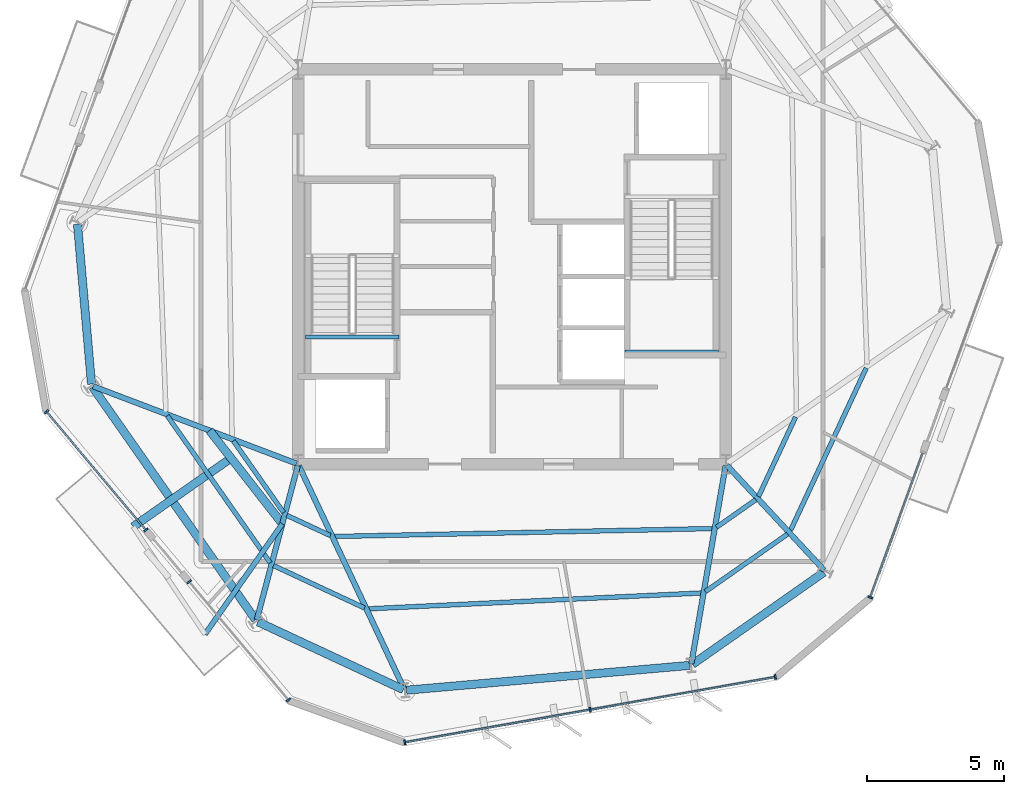
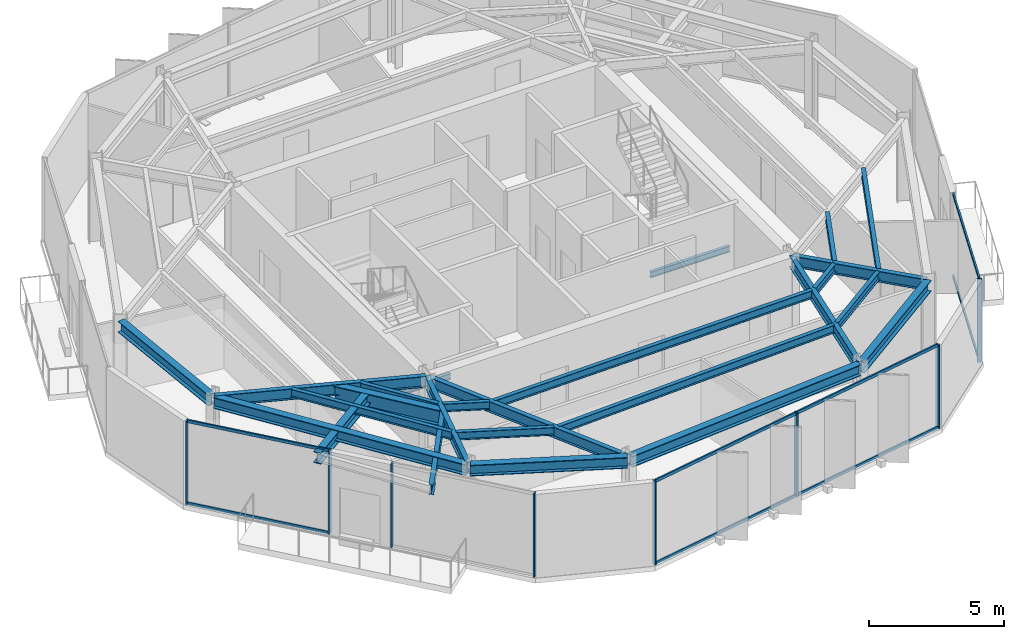
# One storey, part 2 of 11: 25 beams, 16 members, 4 elements without a shape of their own.
"""IFC4 building model written with IfcOpenShell, lengths in metres."""

from ifc_helpers import new_model, si_unit, direction, frame, origin, origin_2d, place, context, subcontext, project, spatial, rectangle, i_section, extrude, material, layer, layer_set, material_profile, profile_set, type_object, element, aggregate, save


model = new_model("IFC4")

# Units and contexts
model_context = context("Model", 3, precision=1e-05, world=origin(), true_north=direction((0.0, 1.0)))
body_context = subcontext(model_context, "Body", "Model", "MODEL_VIEW")
ifc_project = project(units=[si_unit("LENGTHUNIT", "METRE"), si_unit("AREAUNIT", "SQUARE_METRE"), si_unit("VOLUMEUNIT", "CUBIC_METRE"), si_unit("PLANEANGLEUNIT", "RADIAN"), si_unit("MASSUNIT", "GRAM", prefix="KILO")], contexts=[model_context])

# Site, building, storey
site_placement = place(None, origin())
site = spatial("IfcSite", under=ifc_project, at=site_placement, CompositionType="ELEMENT")
building_placement = place(site_placement, origin())
building = spatial("IfcBuilding", under=site, at=building_placement, Name="Kranzbogen Civic Tower", CompositionType="ELEMENT")
storey_placement = place(building_placement, frame((0.0, 0.0, 306.199951171875)))
storey = spatial("IfcBuildingStorey", under=building, at=storey_placement, Name="L74", CompositionType="ELEMENT", Elevation=306.199951171875)

# Beam
ifc_material_1 = material(Name="Steel S355", Category="steel")
ifc_material_profile_1 = material_profile(ifc_material_1, i_section(OverallWidth=0.18994140625, OverallDepth=0.449951171875, WebThickness=0.009521484375, FlangeThickness=0.0146484375, at=origin_2d()), Name="IPE 450")
ifc_profile_set_1 = profile_set([ifc_material_profile_1], Name="Steel S355")
beam_type_1 = type_object("IfcBeamType", Name="Braced Terrace Edge Beam IPE 450", PredefinedType="BEAM", material=ifc_profile_set_1)
beam_1_placement = place(storey_placement, frame((16.6220703125, 15.6240234375, 3.525146484375), z_axis=(-0.573558949877, -0.819164288172, 0.0), x_axis=(0.819164288172, -0.573558949877, 0.0)))
element("IfcBeam", 1, at=beam_1_placement, inside=storey, type_object=beam_type_1, Name="L75 back-spanned terrace beam L75-TB1-2", PredefinedType="BEAM", context=body_context, shape_type="SweptSolid", body=[
    extrude(i_section(OverallWidth=0.18994140625, OverallDepth=0.449951171875, WebThickness=0.009521484375, FlangeThickness=0.0146484375, at=origin_2d()), origin(), (0.0, 0.0, 1.0), 4.91845703125),
])

# Curtain wall, members
ifc_material_2 = material(Name="Pale Anodised Aluminium", Category="aluminium")
ifc_layer = layer(ifc_material_2, 0.219970703125, Name="Pale Anodised Aluminium")
ifc_layer_set = layer_set([ifc_layer], Name="Pale Anodised Aluminium")
curtain_wall_type = type_object("IfcCurtainWallType", Name="Zone 4 Stick Curtain Wall System CW-05", PredefinedType="USERDEFINED", material=ifc_layer_set)
curtain_wall_1_placement = place(storey_placement, origin())
curtain_wall_1 = element("IfcCurtainWall", 2, at=curtain_wall_1_placement, inside=storey, type_object=curtain_wall_type, Name="L74 curtain wall CW-L74-F3-S1", ObjectType="STICK CURTAIN WALL", PredefinedType="USERDEFINED")
ifc_material_profile_2 = material_profile(ifc_material_2, rectangle(XDim=0.06494140625, YDim=0.179931640625, at=origin_2d()), Name="ALU-M 65x180")
ifc_profile_set_2 = profile_set([ifc_material_profile_2], Name="Pale Anodised Aluminium")
member_type_1 = type_object("IfcMemberType", Name="Curtain Wall Mullion ALU-M 65x180", PredefinedType="MULLION", material=ifc_profile_set_2)
member_1_placement = place(storey_placement, frame((8.022216796875, 19.713134765625, 0.0), z_axis=(0.0, 0.0, 1.0), x_axis=(0.642771883733, -0.766057638486, 0.0)))
member_1 = element("IfcMember", 3, at=member_1_placement, type_object=member_type_1, Name="CW-05 mullion 1", PredefinedType="MULLION", context=body_context, shape_type="SweptSolid", body=[
    extrude(rectangle(XDim=0.06494140625, YDim=0.179931640625, at=origin_2d()), origin(), (0.0, 0.0, 1.0), 3.780029296875),
])
member_2_placement = place(storey_placement, frame((11.643798828125, 15.39697265625, 0.0), z_axis=(0.0, 0.0, 1.0), x_axis=(0.642771883733, -0.766057638486, 0.0)))
member_2 = element("IfcMember", 4, at=member_2_placement, type_object=member_type_1, Name="CW-05 mullion 2", PredefinedType="MULLION", context=body_context, shape_type="SweptSolid", body=[
    extrude(rectangle(XDim=0.06494140625, YDim=0.179931640625, at=origin_2d()), origin(), (0.0, 0.0, 1.0), 3.780029296875),
])

curtain_wall_2_placement = place(storey_placement, origin())
curtain_wall_2 = element("IfcCurtainWall", 5, at=curtain_wall_2_placement, inside=storey, type_object=curtain_wall_type, Name="L74 curtain wall CW-L74-F3-S2", ObjectType="STICK CURTAIN WALL", PredefinedType="USERDEFINED")
member_3_placement = place(storey_placement, frame((13.224365234375, 13.512939453125, 0.0), z_axis=(0.0, 0.0, 1.0), x_axis=(0.642755293162, -0.766071558742, 0.0)))
member_3 = element("IfcMember", 6, at=member_3_placement, type_object=member_type_1, Name="CW-05 mullion 1", PredefinedType="MULLION", context=body_context, shape_type="SweptSolid", body=[
    extrude(rectangle(XDim=0.06494140625, YDim=0.179931640625, at=origin_2d()), origin(), (0.0, 0.0, 1.0), 3.780029296875),
])
member_4_placement = place(storey_placement, frame((16.8447265625, 9.197998046875, 0.0), z_axis=(0.0, 0.0, 1.0), x_axis=(0.642755293162, -0.766071558742, 0.0)))
member_4 = element("IfcMember", 7, at=member_4_placement, type_object=member_type_1, Name="CW-05 mullion 2", PredefinedType="MULLION", context=body_context, shape_type="SweptSolid", body=[
    extrude(rectangle(XDim=0.06494140625, YDim=0.179931640625, at=origin_2d()), origin(), (0.0, 0.0, 1.0), 3.780029296875),
])
aggregate(curtain_wall_2, [member_3, member_4])

curtain_wall_3_placement = place(storey_placement, origin())
curtain_wall_3 = element("IfcCurtainWall", 8, at=curtain_wall_3_placement, inside=storey, type_object=curtain_wall_type, Name="L74 curtain wall CW-L74-F4", ObjectType="STICK CURTAIN WALL", PredefinedType="USERDEFINED")
member_5_placement = place(storey_placement, frame((21.089599609375, 7.6533203125, 0.0), z_axis=(0.0, 0.0, 1.0), x_axis=(0.984807646548, 0.173648781452, 0.0)))
member_5 = element("IfcMember", 9, at=member_5_placement, type_object=member_type_1, Name="CW-05 mullion 1", PredefinedType="MULLION", context=body_context, shape_type="SweptSolid", body=[
    extrude(rectangle(XDim=0.06494140625, YDim=0.179931640625, at=origin_2d()), origin(), (0.0, 0.0, 1.0), 3.780029296875),
])
member_6_placement = place(storey_placement, frame((27.848388671875, 8.844970703125, 0.0), z_axis=(0.0, 0.0, 1.0), x_axis=(0.984807646548, 0.173648781452, 0.0)))
member_6 = element("IfcMember", 10, at=member_6_placement, type_object=member_type_1, Name="CW-05 mullion 2", PredefinedType="MULLION", context=body_context, shape_type="SweptSolid", body=[
    extrude(rectangle(XDim=0.06494140625, YDim=0.179931640625, at=origin_2d()), origin(), (0.0, 0.0, 1.0), 3.780029296875),
])
member_7_placement = place(storey_placement, frame((34.607421875, 10.036865234375, 0.0), z_axis=(0.0, 0.0, 1.0), x_axis=(0.984807646548, 0.173648781452, 0.0)))
member_7 = element("IfcMember", 11, at=member_7_placement, type_object=member_type_1, Name="CW-05 mullion 3", PredefinedType="MULLION", context=body_context, shape_type="SweptSolid", body=[
    extrude(rectangle(XDim=0.06494140625, YDim=0.179931640625, at=origin_2d()), origin(), (0.0, 0.0, 1.0), 3.780029296875),
])

# Curtain wall, member
curtain_wall_4_placement = place(storey_placement, origin())
curtain_wall_4 = element("IfcCurtainWall", 12, at=curtain_wall_4_placement, inside=storey, type_object=curtain_wall_type, Name="L74 curtain wall CW-L74-F5-S1", ObjectType="STICK CURTAIN WALL", PredefinedType="USERDEFINED")
member_8_placement = place(storey_placement, frame((38.0673828125, 12.940185546875, 0.0), z_axis=(0.0, 0.0, 1.0), x_axis=(0.342039257273, 0.939685663658, 0.0)))
member_8 = element("IfcMember", 13, at=member_8_placement, type_object=member_type_1, Name="CW-05 mullion 1", PredefinedType="MULLION", context=body_context, shape_type="SweptSolid", body=[
    extrude(rectangle(XDim=0.06494140625, YDim=0.179931640625, at=origin_2d()), origin(), (0.0, 0.0, 1.0), 3.780029296875),
])

# Member
ifc_material_profile_3 = material_profile(ifc_material_2, rectangle(XDim=0.06494140625, YDim=0.135009765625, at=origin_2d()), Name="ALU-T 65x135")
ifc_profile_set_3 = profile_set([ifc_material_profile_3], Name="Pale Anodised Aluminium")
member_type_2 = type_object("IfcMemberType", Name="Curtain Wall Transom ALU-T 65x135", PredefinedType="USERDEFINED", material=ifc_profile_set_3)
member_9_placement = place(storey_placement, frame((8.04150390625, 19.68994140625, 0.030029296875), z_axis=(0.642791399486, -0.766041263084, 0.0), x_axis=(0.766041263084, 0.642791399486, 0.0)))
member_9 = element("IfcMember", 14, at=member_9_placement, type_object=member_type_2, Name="CW-05 transom 1.1", ObjectType="TRANSOM", PredefinedType="USERDEFINED", context=body_context, shape_type="SweptSolid", body=[
    extrude(rectangle(XDim=0.06494140625, YDim=0.135009765625, at=origin_2d()), origin(), (0.0, 0.0, 1.0), 5.57421875),
])

member_10_placement = place(storey_placement, frame((8.04150390625, 19.68994140625, 3.75), z_axis=(0.642791399486, -0.766041263084, 0.0), x_axis=(0.766041263084, 0.642791399486, 0.0)))
member_10 = element("IfcMember", 15, at=member_10_placement, type_object=member_type_2, Name="CW-05 transom 1.2", ObjectType="TRANSOM", PredefinedType="USERDEFINED", context=body_context, shape_type="SweptSolid", body=[
    extrude(rectangle(XDim=0.06494140625, YDim=0.135009765625, at=origin_2d()), origin(), (0.0, 0.0, 1.0), 5.57421875),
])

aggregate(curtain_wall_1, [member_1, member_2, member_9, member_10])

member_11_placement = place(storey_placement, frame((21.119140625, 7.658447265625, 0.030029296875), z_axis=(0.984806310809, 0.173656356607, 0.0), x_axis=(-0.173656356607, 0.984806310809, 0.0)))
member_11 = element("IfcMember", 16, at=member_11_placement, type_object=member_type_2, Name="CW-05 transom 1.1", ObjectType="TRANSOM", PredefinedType="USERDEFINED", context=body_context, shape_type="SweptSolid", body=[
    extrude(rectangle(XDim=0.06494140625, YDim=0.135009765625, at=origin_2d()), origin(), (0.0, 0.0, 1.0), 6.802978515625),
])

member_12_placement = place(storey_placement, frame((21.119140625, 7.658447265625, 3.75), z_axis=(0.984806310809, 0.173656356607, 0.0), x_axis=(-0.173656356607, 0.984806310809, 0.0)))
member_12 = element("IfcMember", 17, at=member_12_placement, type_object=member_type_2, Name="CW-05 transom 1.2", ObjectType="TRANSOM", PredefinedType="USERDEFINED", context=body_context, shape_type="SweptSolid", body=[
    extrude(rectangle(XDim=0.06494140625, YDim=0.135009765625, at=origin_2d()), origin(), (0.0, 0.0, 1.0), 6.802978515625),
])

member_13_placement = place(storey_placement, frame((27.8779296875, 8.85009765625, 0.030029296875), z_axis=(0.984807392974, 0.173650219531, 0.0), x_axis=(-0.173650219531, 0.984807392974, 0.0)))
member_13 = element("IfcMember", 18, at=member_13_placement, type_object=member_type_2, Name="CW-05 transom 2.1", ObjectType="TRANSOM", PredefinedType="USERDEFINED", context=body_context, shape_type="SweptSolid", body=[
    extrude(rectangle(XDim=0.06494140625, YDim=0.135009765625, at=origin_2d()), origin(), (0.0, 0.0, 1.0), 6.80322265625),
])

member_14_placement = place(storey_placement, frame((27.8779296875, 8.85009765625, 3.75), z_axis=(0.984807392974, 0.173650219531, 0.0), x_axis=(-0.173650219531, 0.984807392974, 0.0)))
member_14 = element("IfcMember", 19, at=member_14_placement, type_object=member_type_2, Name="CW-05 transom 2.2", ObjectType="TRANSOM", PredefinedType="USERDEFINED", context=body_context, shape_type="SweptSolid", body=[
    extrude(rectangle(XDim=0.06494140625, YDim=0.135009765625, at=origin_2d()), origin(), (0.0, 0.0, 1.0), 6.80322265625),
])

aggregate(curtain_wall_3, [member_5, member_6, member_7, member_11, member_12, member_13, member_14])

member_15_placement = place(storey_placement, frame((38.07763671875, 12.96826171875, 0.030029296875), z_axis=(0.342003368861, 0.939698726022, 0.0), x_axis=(-0.939698726022, 0.342003368861, 0.0)))
member_15 = element("IfcMember", 20, at=member_15_placement, type_object=member_type_2, Name="CW-05 transom 1.1", ObjectType="TRANSOM", PredefinedType="USERDEFINED", context=body_context, shape_type="SweptSolid", body=[
    extrude(rectangle(XDim=0.06494140625, YDim=0.135009765625, at=origin_2d()), origin(), (0.0, 0.0, 1.0), 5.572265625),
])

member_16_placement = place(storey_placement, frame((38.07763671875, 12.96826171875, 3.75), z_axis=(0.342003368861, 0.939698726022, 0.0), x_axis=(-0.939698726022, 0.342003368861, 0.0)))
member_16 = element("IfcMember", 21, at=member_16_placement, type_object=member_type_2, Name="CW-05 transom 1.2", ObjectType="TRANSOM", PredefinedType="USERDEFINED", context=body_context, shape_type="SweptSolid", body=[
    extrude(rectangle(XDim=0.06494140625, YDim=0.135009765625, at=origin_2d()), origin(), (0.0, 0.0, 1.0), 5.572265625),
])

aggregate(curtain_wall_4, [member_8, member_15, member_16])

# Beams
ifc_material_profile_4 = material_profile(ifc_material_1, i_section(OverallWidth=0.300048828125, OverallDepth=0.5, WebThickness=0.014404296875, FlangeThickness=0.028076171875, at=origin_2d()), Name="HEB 500")
ifc_profile_set_4 = profile_set([ifc_material_profile_4], Name="Steel S355")
beam_type_2 = type_object("IfcBeamType", Name="Perimeter Tube Spandrel Beam HEB 500", PredefinedType="SPANDREL", material=ifc_profile_set_4)
beam_2_placement = place(storey_placement, frame((9.699951171875, 20.612060546875, 3.530029296875), z_axis=(0.573577759301, -0.819151117948, 0.0), x_axis=(0.819151117948, 0.573577759301, 0.0)))
element("IfcBeam", 22, at=beam_2_placement, inside=storey, type_object=beam_type_2, Name="L74 perimeter spandrel beam 01", PredefinedType="SPANDREL", context=body_context, shape_type="SweptSolid", body=[
    extrude(i_section(OverallWidth=0.300048828125, OverallDepth=0.5, WebThickness=0.014404296875, FlangeThickness=0.028076171875, at=origin_2d()), origin(), (0.0, 0.0, 1.0), 10.36328125),
])
beam_3_placement = place(storey_placement, frame((15.73193359375, 12.049072265625, 3.530029296875), z_axis=(0.906289661556, -0.422657129784, 0.0), x_axis=(0.422657129784, 0.906289661556, 0.0)))
element("IfcBeam", 23, at=beam_3_placement, inside=storey, type_object=beam_type_2, Name="L74 perimeter spandrel beam 02", PredefinedType="SPANDREL", context=body_context, shape_type="SweptSolid", body=[
    extrude(i_section(OverallWidth=0.300048828125, OverallDepth=0.5, WebThickness=0.014404296875, FlangeThickness=0.028076171875, at=origin_2d()), origin(), (0.0, 0.0, 1.0), 5.853759765625),
])
beam_4_placement = place(storey_placement, frame((21.15087890625, 9.554931640625, 3.530029296875), z_axis=(0.996186373839, 0.087250837114, 0.0), x_axis=(-0.087250837114, 0.996186373839, 0.0)))
element("IfcBeam", 24, at=beam_4_placement, inside=storey, type_object=beam_type_2, Name="L74 perimeter spandrel beam 03", PredefinedType="SPANDREL", context=body_context, shape_type="SweptSolid", body=[
    extrude(i_section(OverallWidth=0.300048828125, OverallDepth=0.5, WebThickness=0.014404296875, FlangeThickness=0.028076171875, at=origin_2d()), origin(), (0.0, 0.0, 1.0), 10.361572265625),
])
beam_5_placement = place(storey_placement, frame((31.58203125, 10.498046875, 3.530029296875), z_axis=(0.819059436004, 0.57370867197, 0.0), x_axis=(-0.57370867197, 0.819059436004, 0.0)))
element("IfcBeam", 25, at=beam_5_placement, inside=storey, type_object=beam_type_2, Name="L74 perimeter spandrel beam 04", PredefinedType="SPANDREL", context=body_context, shape_type="SweptSolid", body=[
    extrude(i_section(OverallWidth=0.300048828125, OverallDepth=0.5, WebThickness=0.014404296875, FlangeThickness=0.028076171875, at=origin_2d()), origin(), (0.0, 0.0, 1.0), 5.85302734375),
])
beam_6_placement = place(storey_placement, frame((9.14990234375, 26.550048828125, 3.530029296875), z_axis=(0.087326362434, -0.99617975608, 0.0), x_axis=(0.99617975608, 0.087326362434, 0.0)))
element("IfcBeam", 26, at=beam_6_placement, inside=storey, type_object=beam_type_2, Name="L74 perimeter spandrel beam 12", PredefinedType="SPANDREL", context=body_context, shape_type="SweptSolid", body=[
    extrude(i_section(OverallWidth=0.300048828125, OverallDepth=0.5, WebThickness=0.014404296875, FlangeThickness=0.028076171875, at=origin_2d()), origin(), (0.0, 0.0, 1.0), 5.8515625),
])
beam_7_placement = place(storey_placement, frame((14.751953125, 18.02001953125, 3.5), z_axis=(-0.819139876634, -0.57359381317, 0.0), x_axis=(0.57359381317, -0.819139876634, 0.0)))
element("IfcBeam", 27, at=beam_7_placement, inside=storey, type_object=beam_type_2, Name="L75 back-spanned terrace beam L75-TB1-1", PredefinedType="SPANDREL", context=body_context, shape_type="SweptSolid", body=[
    extrude(i_section(OverallWidth=0.300048828125, OverallDepth=0.5, WebThickness=0.014404296875, FlangeThickness=0.028076171875, at=origin_2d()), origin(), (0.0, 0.0, 1.0), 4.36181640625),
])
ifc_material_profile_5 = material_profile(ifc_material_1, i_section(OverallWidth=0.300048828125, OverallDepth=0.699951171875, WebThickness=0.01708984375, FlangeThickness=0.031982421875, at=origin_2d()), Name="HEB 700")
ifc_profile_set_5 = profile_set([ifc_material_profile_5], Name="Steel S355")
beam_type_3 = type_object("IfcBeamType", Name="Perimeter Tube Spandrel Beam HEB 700", PredefinedType="SPANDREL", material=ifc_profile_set_5)
beam_8_placement = place(storey_placement, frame((13.966064453125, 19.028076171875, 3.400146484375), z_axis=(0.615153431403, -0.788407417414, 0.0), x_axis=(0.788407417414, 0.615153431403, 0.0)))
element("IfcBeam", 28, at=beam_8_placement, inside=storey, type_object=beam_type_3, Name="L75 balcony back-span header girder L75-TB1", PredefinedType="SPANDREL", context=body_context, shape_type="SweptSolid", body=[
    extrude(i_section(OverallWidth=0.300048828125, OverallDepth=0.699951171875, WebThickness=0.01708984375, FlangeThickness=0.031982421875, at=origin_2d()), origin(), (0.0, 0.0, 1.0), 4.317626953125),
])
ifc_material_profile_6 = material_profile(ifc_material_1, i_section(OverallWidth=0.199951171875, OverallDepth=0.5, WebThickness=0.01025390625, FlangeThickness=0.01611328125, at=origin_2d()), Name="IPE 500")
ifc_profile_set_6 = profile_set([ifc_material_profile_6], Name="Steel S355")
beam_type_4 = type_object("IfcBeamType", Name="Radial Tower Floor Girder IPE 500", PredefinedType="BEAM", material=ifc_profile_set_6)
beam_9_placement = place(storey_placement, frame((9.721923828125, 20.639892578125, 3.530029296875), z_axis=(0.934848709689, -0.355046320913, 0.0), x_axis=(0.355046320913, 0.934848709689, 0.0)))
element("IfcBeam", 29, at=beam_9_placement, inside=storey, type_object=beam_type_4, Name="L74 radial floor girder 01", PredefinedType="BEAM", context=body_context, shape_type="SweptSolid", body=[
    extrude(i_section(OverallWidth=0.199951171875, OverallDepth=0.5, WebThickness=0.01025390625, FlangeThickness=0.01611328125, at=origin_2d()), origin(), (0.0, 0.0, 1.0), 7.939453125),
])
beam_10_placement = place(storey_placement, frame((15.693115234375, 12.132080078125, 3.530029296875), z_axis=(0.257016017622, 0.966407143333, 0.0), x_axis=(-0.966407143333, 0.257016017622, 0.0)))
element("IfcBeam", 30, at=beam_10_placement, inside=storey, type_object=beam_type_4, Name="L74 radial floor girder 02", PredefinedType="BEAM", context=body_context, shape_type="SweptSolid", body=[
    extrude(i_section(OverallWidth=0.199951171875, OverallDepth=0.5, WebThickness=0.01025390625, FlangeThickness=0.01611328125, at=origin_2d()), origin(), (0.0, 0.0, 1.0), 5.804931640625),
])
beam_11_placement = place(storey_placement, frame((21.06494140625, 9.60400390625, 3.530029296875), z_axis=(-0.426460441273, 0.904506214478, 0.0), x_axis=(-0.904506214478, -0.426460441273, 0.0)))
element("IfcBeam", 31, at=beam_11_placement, inside=storey, type_object=beam_type_4, Name="L74 radial floor girder 03", PredefinedType="BEAM", context=body_context, shape_type="SweptSolid", body=[
    extrude(i_section(OverallWidth=0.199951171875, OverallDepth=0.5, WebThickness=0.01025390625, FlangeThickness=0.01611328125, at=origin_2d()), origin(), (0.0, 0.0, 1.0), 9.001708984375),
])
beam_12_placement = place(storey_placement, frame((31.54296875, 10.52294921875, 3.530029296875), z_axis=(0.170249558486, 0.985400978199, 0.0), x_axis=(-0.985400978199, 0.170249558486, 0.0)))
element("IfcBeam", 32, at=beam_12_placement, inside=storey, type_object=beam_type_4, Name="L74 radial floor girder 04", PredefinedType="BEAM", context=body_context, shape_type="SweptSolid", body=[
    extrude(i_section(OverallWidth=0.199951171875, OverallDepth=0.5, WebThickness=0.01025390625, FlangeThickness=0.01611328125, at=origin_2d()), origin(), (0.0, 0.0, 1.0), 7.324951171875),
])
beam_13_placement = place(storey_placement, frame((36.384033203125, 13.93408203125, 3.530029296875), z_axis=(-0.679827353702, 0.733372190064, 0.0), x_axis=(-0.733372190064, -0.679827353702, 0.0)))
element("IfcBeam", 33, at=beam_13_placement, inside=storey, type_object=beam_type_4, Name="L74 radial floor girder 05", PredefinedType="BEAM", context=body_context, shape_type="SweptSolid", body=[
    extrude(i_section(OverallWidth=0.199951171875, OverallDepth=0.5, WebThickness=0.01025390625, FlangeThickness=0.01611328125, at=origin_2d()), origin(), (0.0, 0.0, 1.0), 5.211669921875),
])
ifc_material_profile_7 = material_profile(ifc_material_1, i_section(OverallWidth=0.169921875, OverallDepth=0.360107421875, WebThickness=0.008056640625, FlangeThickness=0.0126953125, at=origin_2d()), Name="IPE 360")
ifc_profile_set_7 = profile_set([ifc_material_profile_7], Name="Steel S355")
beam_type_5 = type_object("IfcBeamType", Name="Secondary Composite Floor Joist IPE 360", PredefinedType="JOIST", material=ifc_profile_set_7)
beam_14_placement = place(storey_placement, frame((12.424072265625, 19.56591796875, 3.60009765625), z_axis=(0.573499872939, -0.819205649235, 0.0), x_axis=(0.819205649235, 0.573499872939, 0.0)))
element("IfcBeam", 34, at=beam_14_placement, inside=storey, type_object=beam_type_5, Name="L74 secondary floor joist 1.01", PredefinedType="JOIST", context=body_context, shape_type="SweptSolid", body=[
    extrude(i_section(OverallWidth=0.169921875, OverallDepth=0.360107421875, WebThickness=0.008056640625, FlangeThickness=0.0126953125, at=origin_2d()), origin(), (0.0, 0.0, 1.0), 6.549072265625),
])
beam_15_placement = place(storey_placement, frame((14.8349609375, 18.64990234375, 3.60009765625), z_axis=(0.573498248491, -0.819206786457, 0.0), x_axis=(0.819206786457, 0.573498248491, 0.0)))
element("IfcBeam", 35, at=beam_15_placement, inside=storey, type_object=beam_type_5, Name="L74 secondary floor joist 2.01", PredefinedType="JOIST", context=body_context, shape_type="SweptSolid", body=[
    extrude(i_section(OverallWidth=0.169921875, OverallDepth=0.360107421875, WebThickness=0.008056640625, FlangeThickness=0.0126953125, at=origin_2d()), origin(), (0.0, 0.0, 1.0), 3.194580078125),
])
beam_16_placement = place(storey_placement, frame((16.298095703125, 14.10205078125, 3.60009765625), z_axis=(0.906303996948, -0.422626389517, 0.0), x_axis=(0.422626389517, 0.906303996948, 0.0)))
element("IfcBeam", 36, at=beam_16_placement, inside=storey, type_object=beam_type_5, Name="L74 secondary floor joist 1.02", PredefinedType="JOIST", context=body_context, shape_type="SweptSolid", body=[
    extrude(i_section(OverallWidth=0.169921875, OverallDepth=0.360107421875, WebThickness=0.008056640625, FlangeThickness=0.0126953125, at=origin_2d()), origin(), (0.0, 0.0, 1.0), 3.6630859375),
])
beam_17_placement = place(storey_placement, frame((16.784912109375, 15.93408203125, 3.60009765625), z_axis=(0.906432174342, -0.422351409751, 0.0), x_axis=(0.422351409751, 0.906432174342, 0.0)))
element("IfcBeam", 37, at=beam_17_placement, inside=storey, type_object=beam_type_5, Name="L74 secondary floor joist 2.02", PredefinedType="JOIST", context=body_context, shape_type="SweptSolid", body=[
    extrude(i_section(OverallWidth=0.169921875, OverallDepth=0.360107421875, WebThickness=0.008056640625, FlangeThickness=0.0126953125, at=origin_2d()), origin(), (0.0, 0.0, 1.0), 1.751953125),
])
beam_18_placement = place(storey_placement, frame((19.77001953125, 12.52392578125, 3.60009765625), z_axis=(0.998871634781, 0.047491654324, 0.0), x_axis=(-0.047491654324, 0.998871634781, 0.0)))
element("IfcBeam", 38, at=beam_18_placement, inside=storey, type_object=beam_type_5, Name="L74 secondary floor joist 1.03", PredefinedType="JOIST", context=body_context, shape_type="SweptSolid", body=[
    extrude(i_section(OverallWidth=0.169921875, OverallDepth=0.360107421875, WebThickness=0.008056640625, FlangeThickness=0.0126953125, at=origin_2d()), origin(), (0.0, 0.0, 1.0), 12.152587890625),
])
beam_19_placement = place(storey_placement, frame((18.52490234375, 15.162109375, 3.60009765625), z_axis=(0.999780746893, 0.020939392104, 0.0), x_axis=(-0.020939392104, 0.999780746893, 0.0)))
element("IfcBeam", 39, at=beam_19_placement, inside=storey, type_object=beam_type_5, Name="L74 secondary floor joist 2.03", PredefinedType="JOIST", context=body_context, shape_type="SweptSolid", body=[
    extrude(i_section(OverallWidth=0.169921875, OverallDepth=0.360107421875, WebThickness=0.008056640625, FlangeThickness=0.0126953125, at=origin_2d()), origin(), (0.0, 0.0, 1.0), 13.79296875),
])
beam_20_placement = place(storey_placement, frame((32.054931640625, 13.15087890625, 3.60009765625), z_axis=(0.819006333711, 0.573784476385, 0.0), x_axis=(-0.573784476385, 0.819006333711, 0.0)))
element("IfcBeam", 40, at=beam_20_placement, inside=storey, type_object=beam_type_5, Name="L74 secondary floor joist 1.04", PredefinedType="JOIST", context=body_context, shape_type="SweptSolid", body=[
    extrude(i_section(OverallWidth=0.169921875, OverallDepth=0.360107421875, WebThickness=0.008056640625, FlangeThickness=0.0126953125, at=origin_2d()), origin(), (0.0, 0.0, 1.0), 3.661865234375),
])
beam_21_placement = place(storey_placement, frame((32.4599609375, 15.498046875, 3.60009765625), z_axis=(0.818956727849, 0.573855276103, 0.0), x_axis=(-0.573855276103, 0.818956727849, 0.0)))
element("IfcBeam", 41, at=beam_21_placement, inside=storey, type_object=beam_type_5, Name="L74 secondary floor joist 2.04", PredefinedType="JOIST", context=body_context, shape_type="SweptSolid", body=[
    extrude(i_section(OverallWidth=0.169921875, OverallDepth=0.360107421875, WebThickness=0.008056640625, FlangeThickness=0.0126953125, at=origin_2d()), origin(), (0.0, 0.0, 1.0), 1.751220703125),
])
beam_22_placement = place(storey_placement, frame((35.154052734375, 15.3701171875, 3.60009765625), z_axis=(0.422542528713, 0.906343098075, 0.0), x_axis=(-0.906343098075, 0.422542528713, 0.0)))
element("IfcBeam", 42, at=beam_22_placement, inside=storey, type_object=beam_type_5, Name="L74 secondary floor joist 1.05", PredefinedType="JOIST", context=body_context, shape_type="SweptSolid", body=[
    extrude(i_section(OverallWidth=0.169921875, OverallDepth=0.360107421875, WebThickness=0.008056640625, FlangeThickness=0.0126953125, at=origin_2d()), origin(), (0.0, 0.0, 1.0), 6.548095703125),
])
beam_23_placement = place(storey_placement, frame((33.993896484375, 16.62109375, 3.60009765625), z_axis=(0.422651143991, 0.906292453065, 0.0), x_axis=(-0.906292453065, 0.422651143991, 0.0)))
element("IfcBeam", 43, at=beam_23_placement, inside=storey, type_object=beam_type_5, Name="L74 secondary floor joist 2.05", PredefinedType="JOIST", context=body_context, shape_type="SweptSolid", body=[
    extrude(i_section(OverallWidth=0.169921875, OverallDepth=0.360107421875, WebThickness=0.008056640625, FlangeThickness=0.0126953125, at=origin_2d()), origin(), (0.0, 0.0, 1.0), 3.1943359375),
])
ifc_material_profile_8 = material_profile(ifc_material_1, i_section(OverallWidth=0.135009765625, OverallDepth=0.27001953125, WebThickness=0.006591796875, FlangeThickness=0.01025390625, at=origin_2d()), Name="IPE 270")
ifc_profile_set_8 = profile_set([ifc_material_profile_8], Name="Steel S355")
beam_type_6 = type_object("IfcBeamType", Name="Stair Landing Support Beam IPE 270", PredefinedType="JOIST", material=ifc_profile_set_8)
for number, where, z_axis, x_axis, name in (
    (44, (20.8798828125, 22.43994140625, -0.35498046875), (-1.0, 0.0, 0.0), (0.0, -1.0, 0.0), "L74 ST-T1 stair floor header beam"),
    (45, (29.1201171875, 21.89990234375, 1.6650390625), (1.0, 0.0, 0.0), (0.0, 1.0, 0.0), "L74 ST-T2 landing support beam 1.2"),
):
    element("IfcBeam", number, at=place(storey_placement, frame(where, z_axis=z_axis, x_axis=x_axis)), inside=storey, type_object=beam_type_6, Name=name, PredefinedType="JOIST", context=body_context, shape_type="SweptSolid", body=[
        extrude(i_section(OverallWidth=0.135009765625, OverallDepth=0.27001953125, WebThickness=0.006591796875, FlangeThickness=0.01025390625, at=origin_2d()), origin(), (0.0, 0.0, 1.0), 3.409912109375),
    ])

save(model, "model.ifc")
